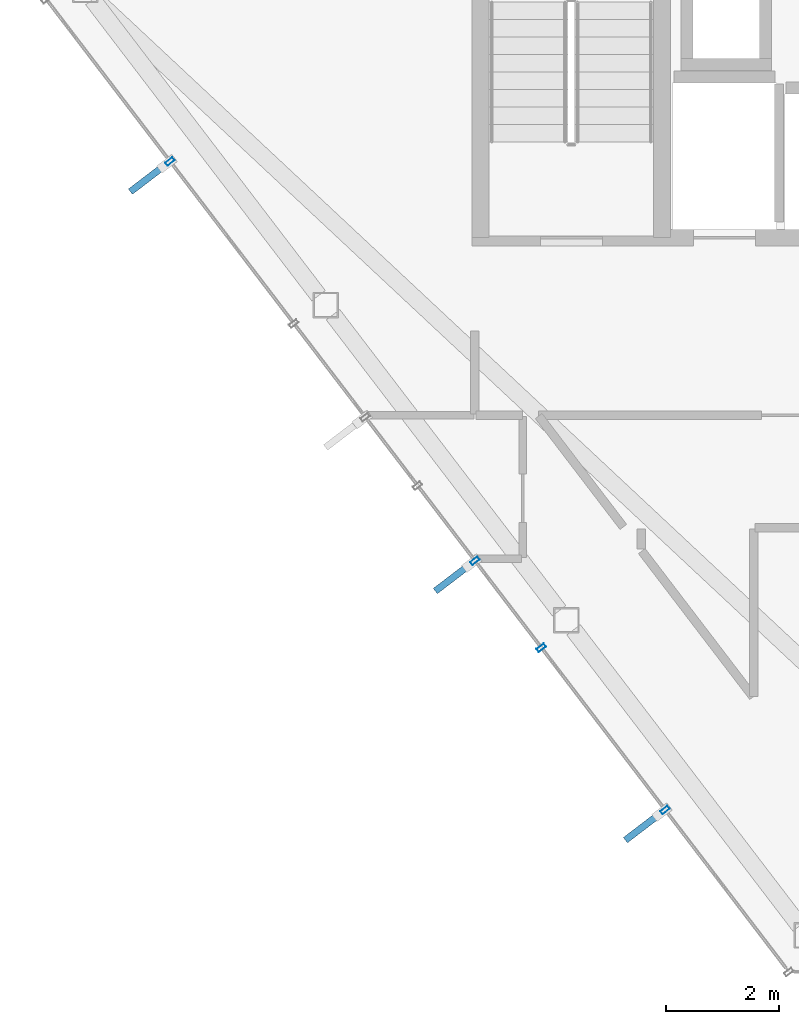
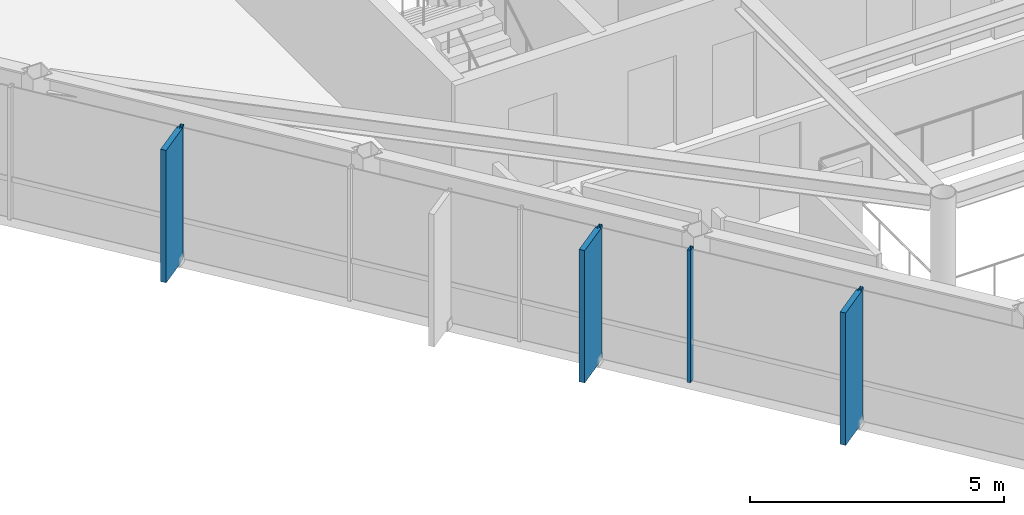
# One storey, part 2 of 22: 7 members, 1 element without a shape of its own.
"""IFC4 building model written with IfcOpenShell, lengths in metres."""

from ifc_helpers import new_model, si_unit, direction, frame, origin, origin_2d, place, context, subcontext, project, spatial, rectangle, hollow_rectangle, extrude, material, layer, layer_set, material_profile, profile_set, type_object, element, aggregate, save


model = new_model("IFC4")

# Units and contexts
model_context = context("Model", 3, precision=1e-05, world=origin(), true_north=direction((0.0, 1.0)))
body_context = subcontext(model_context, "Body", "Model", "MODEL_VIEW")
ifc_project = project(units=[si_unit("LENGTHUNIT", "METRE"), si_unit("AREAUNIT", "SQUARE_METRE"), si_unit("VOLUMEUNIT", "CUBIC_METRE"), si_unit("PLANEANGLEUNIT", "RADIAN"), si_unit("MASSUNIT", "GRAM", prefix="KILO")], contexts=[model_context])

# Site, building, storey
site_placement = place(None, origin())
site = spatial("IfcSite", under=ifc_project, at=site_placement, CompositionType="ELEMENT")
building_placement = place(site_placement, origin())
building = spatial("IfcBuilding", under=site, at=building_placement, Name="Zarrinselat Tower", CompositionType="ELEMENT")
storey_placement = place(building_placement, frame((0.0, 0.0, 289.0)))
storey = spatial("IfcBuildingStorey", under=building, at=storey_placement, Name="L74", CompositionType="ELEMENT", Elevation=289.0)

# Curtain wall, members
ifc_material_1 = material(Name="Extruded Aluminium Alloy EN AW-6063 T6", Category="aluminium")
ifc_layer = layer(ifc_material_1, 0.169921875)
ifc_layer_set = layer_set([ifc_layer], Name="Extruded Aluminium Alloy EN AW-6063 T6")
curtain_wall_type = type_object("IfcCurtainWallType", Name="CWS-RES", PredefinedType="NOTDEFINED", material=ifc_layer_set)
curtain_wall_placement = place(storey_placement, origin())
curtain_wall = element("IfcCurtainWall", 1, at=curtain_wall_placement, inside=storey, type_object=curtain_wall_type, Name="L74 Unitised Curtain Wall CW-L74-E03", PredefinedType="NOTDEFINED")
ifc_material_2 = material(Name="Extruded Aluminium Alloy EN AW-6063 T6", Category="aluminium")
ifc_material_profile_1 = material_profile(ifc_material_2, hollow_rectangle(XDim=0.070068359375, YDim=0.159912109375, WallThickness=0.00390625, at=origin_2d()), Name="RHS 160x70x4")
ifc_profile_set_1 = profile_set([ifc_material_profile_1], Name="Extruded Aluminium Alloy EN AW-6063 T6")
member_type_1 = type_object("IfcMemberType", Name="MEM-CW-MUL2", PredefinedType="MULLION", material=ifc_profile_set_1)
member_1_placement = place(storey_placement, frame((23.136474609375, 34.65380859375, 0.0), z_axis=(0.0, 0.0, 1.0), x_axis=(0.606801746242, -0.794853219631, 0.0)))
member_1 = element("IfcMember", 2, at=member_1_placement, type_object=member_type_1, Name="CW-L74-E03 Mullion 3", PredefinedType="MULLION", context=body_context, shape_type="SweptSolid", body=[
    extrude(hollow_rectangle(XDim=0.070068359375, YDim=0.159912109375, WallThickness=0.00390625, at=origin_2d()), origin(), (0.0, 0.0, 1.0), 3.179931640625),
])
member_2_placement = place(storey_placement, frame((28.549072265625, 27.563720703125, 0.0), z_axis=(0.0, 0.0, 1.0), x_axis=(0.606801746242, -0.794853219631, 0.0)))
member_2 = element("IfcMember", 3, at=member_2_placement, type_object=member_type_1, Name="CW-L74-E03 Mullion 7", PredefinedType="MULLION", context=body_context, shape_type="SweptSolid", body=[
    extrude(hollow_rectangle(XDim=0.070068359375, YDim=0.159912109375, WallThickness=0.00390625, at=origin_2d()), origin(), (0.0, 0.0, 1.0), 3.179931640625),
])
member_3_placement = place(storey_placement, frame((29.7275390625, 26.02001953125, 0.0), z_axis=(0.0, 0.0, 1.0), x_axis=(0.606801746242, -0.794853219631, 0.0)))
member_3 = element("IfcMember", 4, at=member_3_placement, type_object=member_type_1, Name="CW-L74-E03 Mullion 8", PredefinedType="MULLION", context=body_context, shape_type="SweptSolid", body=[
    extrude(hollow_rectangle(XDim=0.070068359375, YDim=0.159912109375, WallThickness=0.00390625, at=origin_2d()), origin(), (0.0, 0.0, 1.0), 3.179931640625),
])
member_4_placement = place(storey_placement, frame((31.924560546875, 23.14208984375, 0.0), z_axis=(0.0, 0.0, 1.0), x_axis=(0.606801746242, -0.794853219631, 0.0)))
member_4 = element("IfcMember", 5, at=member_4_placement, type_object=member_type_1, Name="CW-L74-E03 Mullion 9", PredefinedType="MULLION", context=body_context, shape_type="SweptSolid", body=[
    extrude(hollow_rectangle(XDim=0.070068359375, YDim=0.159912109375, WallThickness=0.00390625, at=origin_2d()), origin(), (0.0, 0.0, 1.0), 3.179931640625),
])
ifc_material_3 = material(Name="Honed Cream Travertine Stone", Category="masonry")
ifc_material_profile_2 = material_profile(ifc_material_3, rectangle(XDim=0.1201171875, YDim=0.85009765625, at=origin_2d()), Name="FIN 850x120")
ifc_profile_set_2 = profile_set([ifc_material_profile_2], Name="Honed Cream Travertine Stone")
member_type_2 = type_object("IfcMemberType", Name="MEM-STONE-FIN", PredefinedType="USERDEFINED", material=ifc_profile_set_2)
member_5_placement = place(storey_placement, frame((22.770751953125, 34.374755859375, 0.0), z_axis=(0.0, 0.0, 1.0), x_axis=(-0.606801746242, 0.794853219631, 0.0)))
member_5 = element("IfcMember", 6, at=member_5_placement, type_object=member_type_2, Name="L74 Stone Shading Fin CW-L74-E03-03", ObjectType="FIN", PredefinedType="USERDEFINED", context=body_context, shape_type="SweptSolid", body=[
    extrude(rectangle(XDim=0.1201171875, YDim=0.85009765625, at=origin_2d()), origin(), (0.0, 0.0, 1.0), 3.179931640625),
])
member_6_placement = place(storey_placement, frame((28.18359375, 27.284423828125, 0.0), z_axis=(0.0, 0.0, 1.0), x_axis=(-0.606801746242, 0.794853219631, 0.0)))
member_6 = element("IfcMember", 7, at=member_6_placement, type_object=member_type_2, Name="L74 Stone Shading Fin CW-L74-E03-07", ObjectType="FIN", PredefinedType="USERDEFINED", context=body_context, shape_type="SweptSolid", body=[
    extrude(rectangle(XDim=0.1201171875, YDim=0.85009765625, at=origin_2d()), origin(), (0.0, 0.0, 1.0), 3.179931640625),
])
member_7_placement = place(storey_placement, frame((31.55908203125, 22.863037109375, 0.0), z_axis=(0.0, 0.0, 1.0), x_axis=(-0.606801746242, 0.794853219631, 0.0)))
member_7 = element("IfcMember", 8, at=member_7_placement, type_object=member_type_2, Name="L74 Stone Shading Fin CW-L74-E03-09", ObjectType="FIN", PredefinedType="USERDEFINED", context=body_context, shape_type="SweptSolid", body=[
    extrude(rectangle(XDim=0.1201171875, YDim=0.85009765625, at=origin_2d()), origin(), (0.0, 0.0, 1.0), 3.179931640625),
])
aggregate(curtain_wall, [member_1, member_5, member_2, member_6, member_3, member_4, member_7])

save(model, "model.ifc")
